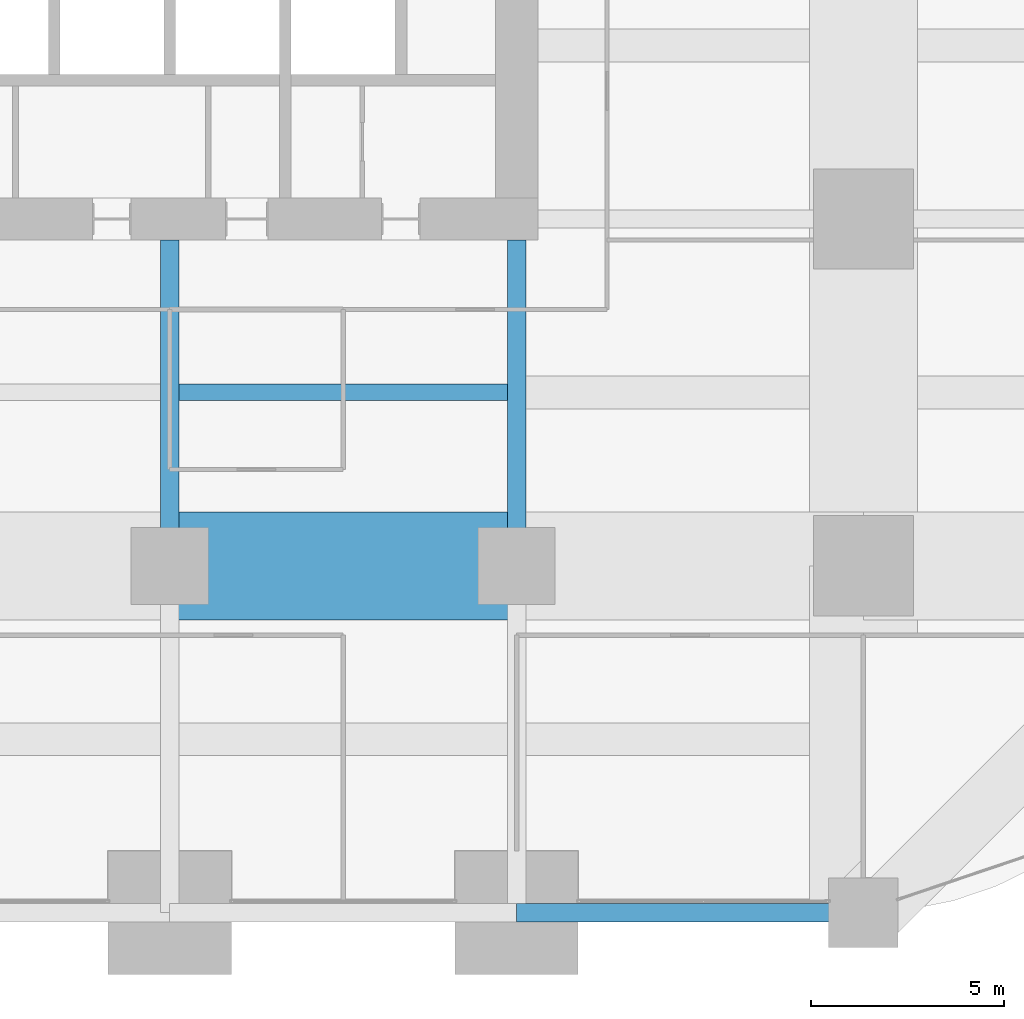
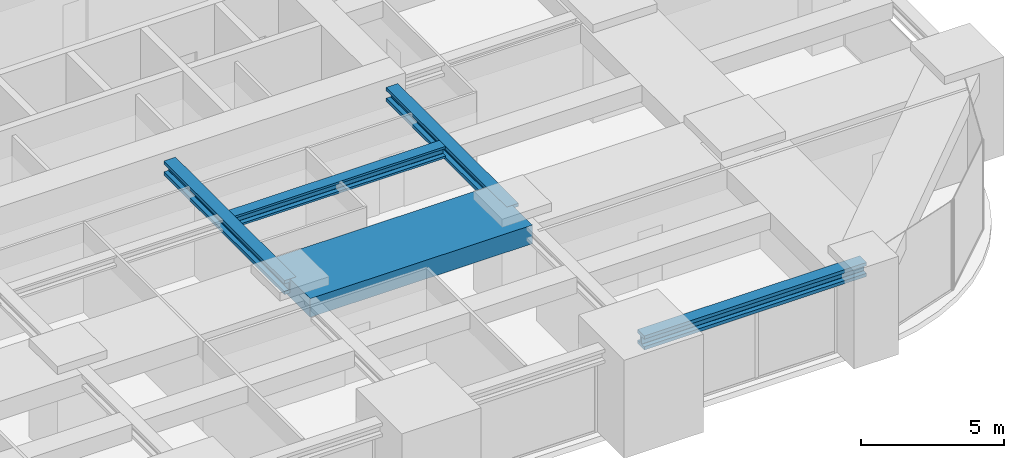
# One storey, part 16 of 45: 5 beams.
"""IFC4 building model written with IfcOpenShell, lengths in metres."""

from ifc_helpers import new_model, si_unit, direction, frame, origin, origin_2d, place, context, subcontext, project, spatial, rectangle, i_section, extrude, material, material_profile, profile_set, type_object, element, save


model = new_model("IFC4")

# Units and contexts
model_context = context("Model", 3, precision=1e-05, world=origin(), true_north=direction((0.0, 1.0)))
body_context = subcontext(model_context, "Body", "Model", "MODEL_VIEW")
ifc_project = project(units=[si_unit("LENGTHUNIT", "METRE"), si_unit("AREAUNIT", "SQUARE_METRE"), si_unit("VOLUMEUNIT", "CUBIC_METRE"), si_unit("PLANEANGLEUNIT", "RADIAN"), si_unit("MASSUNIT", "GRAM", prefix="KILO")], contexts=[model_context])

# Site, building, storey
site_placement = place(None, origin())
site = spatial("IfcSite", under=ifc_project, at=site_placement, CompositionType="ELEMENT")
building_placement = place(site_placement, origin())
building = spatial("IfcBuilding", under=site, at=building_placement, Name="Zorevar Civic Tower", CompositionType="ELEMENT")
storey_placement = place(building_placement, frame((0.0, 0.0, 153.0)))
storey = spatial("IfcBuildingStorey", under=building, at=storey_placement, Name="L37", CompositionType="ELEMENT", Elevation=153.0)

# Beams
ifc_material_1 = material(Name="Concrete C50/60", Category="concrete")
ifc_material_profile_1 = material_profile(ifc_material_1, rectangle(XDim=2.800048828125, YDim=0.800048828125, at=origin_2d()), Name="RC 2800x800")
ifc_profile_set_1 = profile_set([ifc_material_profile_1], Name="Concrete C50/60")
beam_type_1 = type_object("IfcBeamType", Name="Beam RC 2800x800", PredefinedType="BEAM", material=ifc_profile_set_1)
beam_1_placement = place(storey_placement, frame((36.0, 9.0, 3.449951171875), z_axis=(1.0, 0.0, 0.0), x_axis=(0.0, 1.0, 0.0)))
element("IfcBeam", 1, at=beam_1_placement, inside=storey, type_object=beam_type_1, Name="Girder L38", PredefinedType="BEAM", context=body_context, shape_type="SweptSolid", body=[
    extrude(rectangle(XDim=2.800048828125, YDim=0.800048828125, at=origin_2d()), origin(), (0.0, 0.0, 1.0), 9.0),
])
ifc_material_2 = material(Name="Steel S460M (HISTAR 460)", Category="steel")
ifc_material_profile_2 = material_profile(ifc_material_2, i_section(OverallWidth=0.47607421875, OverallDepth=0.60009765625, WebThickness=0.10009765625, FlangeThickness=0.139892578125, FilletRadius=0.014892578125, at=origin_2d()), Name="HD 400x1299")
ifc_profile_set_2 = profile_set([ifc_material_profile_2], Name="Steel S460M (HISTAR 460)")
beam_type_2 = type_object("IfcBeamType", Name="Belt chord HD 400x1299", PredefinedType="BEAM", material=ifc_profile_set_2)
beam_2_placement = place(storey_placement, frame((45.0, 0.0, 3.550048828125), z_axis=(1.0, 0.0, 0.0), x_axis=(0.0, 1.0, 0.0)))
element("IfcBeam", 2, at=beam_2_placement, inside=storey, type_object=beam_type_2, Name="Belt chord L38", PredefinedType="BEAM", context=body_context, shape_type="SweptSolid", body=[
    extrude(i_section(OverallWidth=0.47607421875, OverallDepth=0.60009765625, WebThickness=0.10009765625, FlangeThickness=0.139892578125, FilletRadius=0.014892578125, at=origin_2d()), origin(), (0.0, 0.0, 1.0), 9.0),
])
ifc_material_3 = material(Name="Steel S460M (HISTAR 460)", Category="steel")
ifc_material_profile_3 = material_profile(ifc_material_3, i_section(OverallWidth=0.431884765625, OverallDepth=0.498046875, WebThickness=0.0556640625, FlangeThickness=0.0888671875, FilletRadius=0.014892578125, at=origin_2d()), Name="HD 400x744")
ifc_profile_set_3 = profile_set([ifc_material_profile_3], Name="Steel S460M (HISTAR 460)")
beam_type_3 = type_object("IfcBeamType", Name="Core bay beam HD 400x744", PredefinedType="BEAM", material=ifc_profile_set_3)
beam_3_placement = place(storey_placement, frame((36.238037109375, 13.5, 3.60107421875), z_axis=(1.0, 0.0, 0.0), x_axis=(0.0, 1.0, 0.0)))
element("IfcBeam", 3, at=beam_3_placement, inside=storey, type_object=beam_type_3, Name="Secondary beam L38", PredefinedType="BEAM", context=body_context, shape_type="SweptSolid", body=[
    extrude(i_section(OverallWidth=0.431884765625, OverallDepth=0.498046875, WebThickness=0.0556640625, FlangeThickness=0.0888671875, FilletRadius=0.014892578125, at=origin_2d()), origin(), (0.0, 0.0, 1.0), 8.52392578125),
])
ifc_material_4 = material(Name="Steel S460M (HISTAR 460)", Category="steel")
ifc_material_profile_4 = material_profile(ifc_material_4, i_section(OverallWidth=0.47607421875, OverallDepth=0.60009765625, WebThickness=0.10009765625, FlangeThickness=0.139892578125, FilletRadius=0.014892578125, at=origin_2d()), Name="HD 400x1299")
ifc_profile_set_4 = profile_set([ifc_material_profile_4], Name="Steel S460M (HISTAR 460)")
beam_type_4 = type_object("IfcBeamType", Name="Outrigger chord HD 400x1299", PredefinedType="BEAM", material=ifc_profile_set_4)
for number, where, z_axis, x_axis, name in (
    (4, (36.0, 9.0, 3.550048828125), (0.0, 1.0, 0.0), (-1.0, 0.0, 0.0), "Outrigger chord L38"),
    (5, (45.0, 9.0, 3.550048828125), (0.0, 1.0, 0.0), (-1.0, 0.0, 0.0), "Outrigger chord L38"),
):
    element("IfcBeam", number, at=place(storey_placement, frame(where, z_axis=z_axis, x_axis=x_axis)), inside=storey, type_object=beam_type_4, Name=name, PredefinedType="BEAM", context=body_context, shape_type="SweptSolid", body=[
        extrude(i_section(OverallWidth=0.47607421875, OverallDepth=0.60009765625, WebThickness=0.10009765625, FlangeThickness=0.139892578125, FilletRadius=0.014892578125, at=origin_2d()), origin(), (0.0, 0.0, 1.0), 8.449951171875),
    ])

save(model, "model.ifc")
